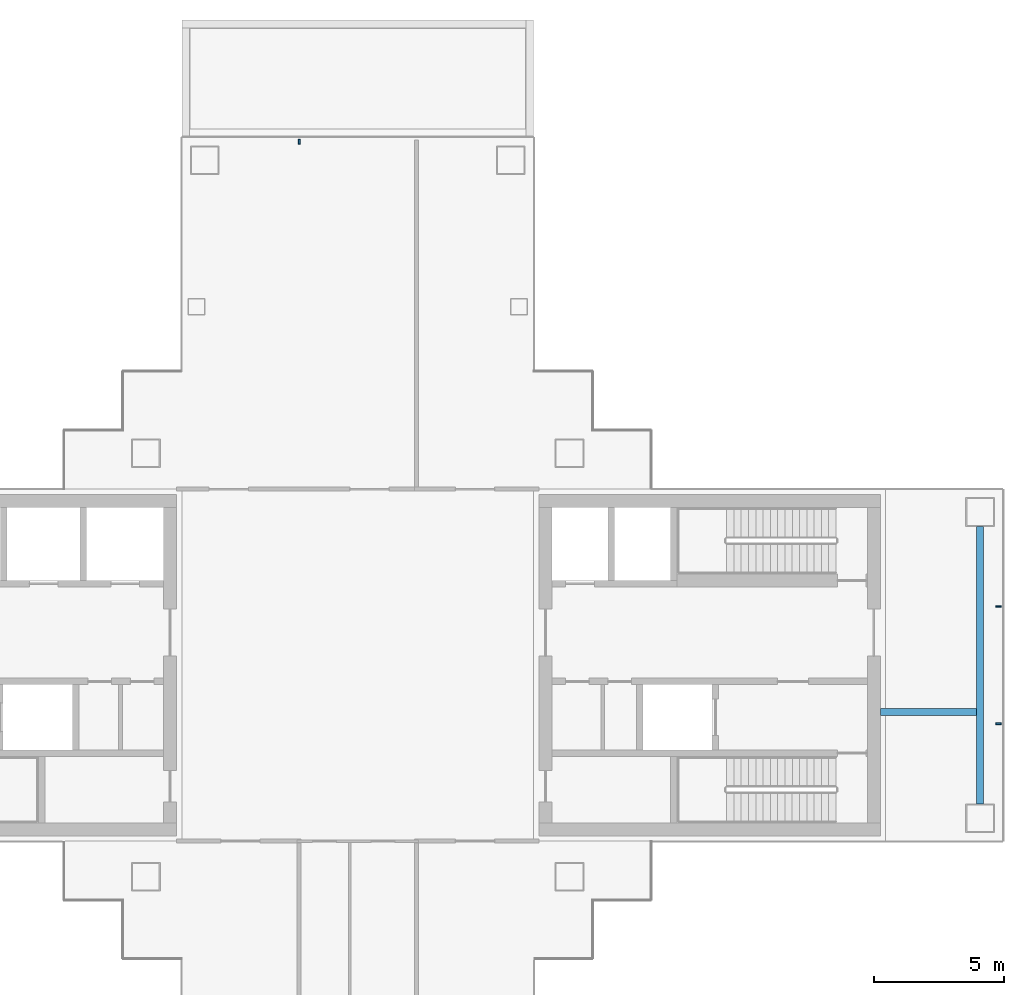
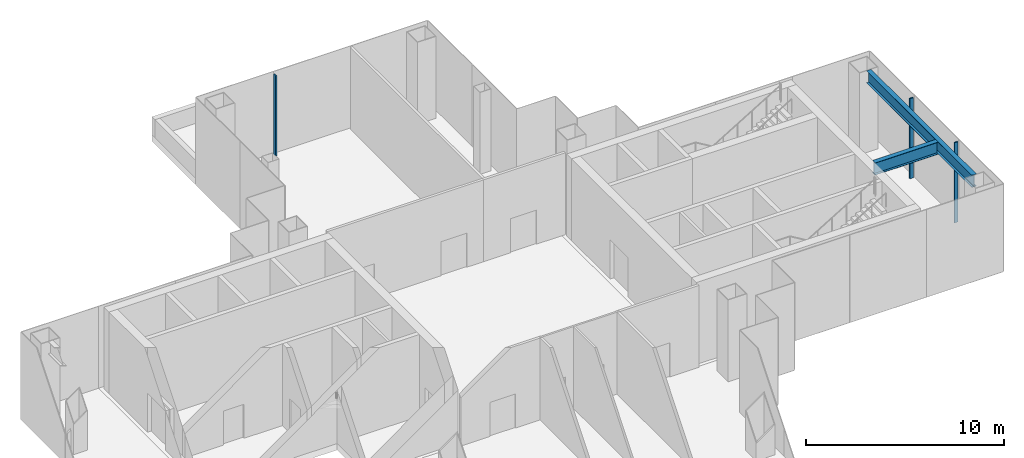
# One storey, part 5 of 15: 3 members, 2 beams, 2 elements without a shape of their own.
"""IFC4 building model written with IfcOpenShell, lengths in metres."""

import ifcopenshell
import ifcopenshell.guid

model = None  # the IFC model being written
_history = None  # IfcOwnerHistory: only IFC2X3 demands one
_inside = {}  # id of a spatial element -> (the spatial element, [elements in it])
_under = {}  # id of a project, library or spatial element -> (it, [spatial elements below it])
_declared = {}  # id of a project -> (the project, [libraries it declares])
_typed = {}  # id of a type object -> (the type object, [elements of that type])
_made_of = {}  # id of a material, layer set ... -> (it, [elements and type objects made of it])


def new_model(schema):
    """Start an empty IFC model of exactly this schema.

    Asked for "IFC4X3", IfcOpenShell would pick the latest addendum, in which some entities
    have other attributes; the version numbers below select the first issue.
    IFC2X3 requires an IfcOwnerHistory on every rooted entity: one is made here for all.
    """
    global model, _history
    if schema == "IFC4X3":
        model = ifcopenshell.file(schema_version=(4, 3, 0, 0))
    else:
        model = ifcopenshell.file(schema=schema)
    _inside.clear()
    _under.clear()
    _declared.clear()
    _typed.clear()
    _made_of.clear()
    _history = None
    if model.schema == "IFC2X3":
        org = make("IfcOrganization", Name="unknown")
        user = make(
            "IfcPersonAndOrganization",
            ThePerson=make("IfcPerson", FamilyName="unknown"),
            TheOrganization=org,
        )
        app = make(
            "IfcApplication",
            ApplicationDeveloper=org,
            Version="unknown",
            ApplicationFullName="unknown",
            ApplicationIdentifier="unknown",
        )
        _history = make(
            "IfcOwnerHistory",
            OwningUser=user,
            OwningApplication=app,
            ChangeAction="ADDED",
            CreationDate=0,
        )
    return model


def make(cls, **values):
    """One entity of the class cls with the attributes given. An attribute that is None is left unset."""
    return model.create_entity(
        cls, **{name: value for name, value in values.items() if value is not None}
    )


def rooted(cls, **values):
    """An entity with a GlobalId (a new one), such as an element, a storey or a relation."""
    return make(cls, GlobalId=ifcopenshell.guid.new(), OwnerHistory=_history, **values)


def si_unit(unit_type, name, prefix=None):
    """IfcSIUnit, for example si_unit("LENGTHUNIT", "METRE", prefix="MILLI")."""
    return make("IfcSIUnit", UnitType=unit_type, Prefix=prefix, Name=name)


def assignment(units):
    """IfcUnitAssignment: the units of a project."""
    return None if units is None else make("IfcUnitAssignment", Units=units)


def point(xyz):
    """IfcCartesianPoint."""
    return None if xyz is None else make("IfcCartesianPoint", Coordinates=xyz)


def direction(xyz):
    """IfcDirection."""
    return None if xyz is None else make("IfcDirection", DirectionRatios=xyz)


def frame(location, z_axis=None, x_axis=None):
    """IfcAxis2Placement3D, a coordinate frame: its origin and axes. An axis left out is left unset."""
    return make(
        "IfcAxis2Placement3D",
        Location=point(location),
        Axis=direction(z_axis),
        RefDirection=direction(x_axis),
    )


def frame_2d(location, x_axis=None):
    """IfcAxis2Placement2D, a coordinate frame in the plane: its origin and x axis."""
    return make(
        "IfcAxis2Placement2D", Location=point(location), RefDirection=direction(x_axis)
    )


def origin():
    """The frame at (0, 0, 0) with its axes left unset."""
    return frame((0.0, 0.0, 0.0))


def origin_2d():
    """The frame at (0, 0) in the plane with its x axis left unset."""
    return frame_2d((0.0, 0.0))


def place(relative_to, where):
    """IfcLocalPlacement: puts the frame where relative to a parent placement (None: the world)."""
    return make(
        "IfcLocalPlacement", PlacementRelTo=relative_to, RelativePlacement=where
    )


def context(
    kind, dimensions, precision=None, world=None, true_north=None, identifier=None
):
    """IfcGeometricRepresentationContext, for example the 3D "Model" context."""
    return make(
        "IfcGeometricRepresentationContext",
        ContextIdentifier=identifier,
        ContextType=kind,
        CoordinateSpaceDimension=dimensions,
        Precision=precision,
        WorldCoordinateSystem=world,
        TrueNorth=true_north,
    )


def subcontext(parent, identifier, kind, view, scale=None):
    """IfcGeometricRepresentationSubContext, for example "Body" below "Model"."""
    return make(
        "IfcGeometricRepresentationSubContext",
        ContextIdentifier=identifier,
        ContextType=kind,
        ParentContext=parent,
        TargetScale=scale,
        TargetView=view,
    )


def project(units=None, contexts=None):
    """IfcProject with its units and contexts."""
    return rooted(
        "IfcProject",
        Name="project",
        RepresentationContexts=contexts,
        UnitsInContext=assignment(units),
    )


def spatial(cls, under=None, at=None, **own):
    """A site, building, storey or space (cls), placed at a placement, below another one or the project."""
    s = rooted(cls, ObjectPlacement=at, **own)
    if under is not None:
        _under.setdefault(under.id(), (under, []))[1].append(s)
    return s


def profile(cls, at=None, kind="AREA", **sizes):
    """A parametric profile (cls). Its sizes go by their IFC names, for example OverallWidth=200.0."""
    return make(cls, ProfileType=kind, Position=at, **sizes)


def rectangle(**sizes):
    """IfcRectangleProfileDef."""
    return profile("IfcRectangleProfileDef", **sizes)


def i_section(**sizes):
    """IfcIShapeProfileDef."""
    return profile("IfcIShapeProfileDef", **sizes)


def extrude(swept, where, along, depth):
    """IfcExtrudedAreaSolid: the profile swept, set in the frame where, extruded along a direction by depth."""
    return make(
        "IfcExtrudedAreaSolid",
        SweptArea=swept,
        Position=where,
        ExtrudedDirection=direction(along),
        Depth=depth,
    )


def shape(context_of_items, identifier, shape_type, items):
    """IfcShapeRepresentation: the items that make up one representation, for example the "Body"."""
    return make(
        "IfcShapeRepresentation",
        ContextOfItems=context_of_items,
        RepresentationIdentifier=identifier,
        RepresentationType=shape_type,
        Items=items,
    )


def material(Name=None, Category=None):
    """IfcMaterial."""
    return make("IfcMaterial", Name=Name, Category=Category)


def layer(
    of_material, thickness, ventilated=None, Name=None, Category=None, Priority=None
):
    """IfcMaterialLayer: one layer of a wall or slab, of a material (None: an air gap)."""
    return make(
        "IfcMaterialLayer",
        Material=of_material,
        LayerThickness=thickness,
        IsVentilated=ventilated,
        Name=Name,
        Category=Category,
        Priority=Priority,
    )


def layer_set(layers, Name=None):
    """IfcMaterialLayerSet."""
    return make("IfcMaterialLayerSet", MaterialLayers=layers, LayerSetName=Name)


def material_profile(
    of_material, cross_section, Name=None, Category=None, Priority=None
):
    """IfcMaterialProfile: a cross section and its material."""
    return make(
        "IfcMaterialProfile",
        Name=Name,
        Material=of_material,
        Profile=cross_section,
        Priority=Priority,
        Category=Category,
    )


def profile_set(profiles, Name=None, composite=None):
    """IfcMaterialProfileSet."""
    return make(
        "IfcMaterialProfileSet",
        Name=Name,
        MaterialProfiles=profiles,
        CompositeProfile=composite,
    )


def made_of(thing, what):
    """Note that an element or type object is made of a material, layer set ...; save() writes the relation."""
    if what is not None:
        _made_of.setdefault(what.id(), (what, []))[1].append(thing)
    return thing


def type_object(cls, material=None, **own):
    """A type object (cls), such as IfcWallType, which elements share."""
    return made_of(rooted(cls, **own), material)


def element(
    cls,
    number,
    at=None,
    inside=None,
    cuts=None,
    type_object=None,
    material=None,
    context=None,
    identifier="Body",
    shape_type=None,
    held_by="IfcProductDefinitionShape",
    body=None,
    shapes=None,
    **own,
):
    """One element of the class cls, such as IfcWall. Its Tag is "e" and its number.

    at: its placement. inside: the storey or other place that contains it. cuts: it is an
    opening in that element (IfcRelVoidsElement). A single representation is given by context,
    identifier, shape_type and body (its items); several are given by shapes. held_by: the class
    of the entity that holds the representations. save() writes the other relations.
    """
    e = rooted(cls, Tag="e%d" % number, ObjectPlacement=at, **own)
    if body is not None:
        shapes = [shape(context, identifier, shape_type, body)]
    if shapes is not None:
        e.Representation = make(held_by, Representations=shapes)
    if inside is not None:
        _inside.setdefault(inside.id(), (inside, []))[1].append(e)
    if cuts is not None:
        rooted(
            "IfcRelVoidsElement", RelatingBuildingElement=cuts, RelatedOpeningElement=e
        )
    if type_object is not None:
        _typed.setdefault(type_object.id(), (type_object, []))[1].append(e)
    return made_of(e, material)


def aggregate(whole, parts):
    """IfcRelAggregates: a whole, such as a stair, and the parts it consists of."""
    return rooted("IfcRelAggregates", RelatingObject=whole, RelatedObjects=parts)


def save(model, path):
    """Write the relations noted so far, then the file.

    IfcRelAggregates (storeys below a building ...), IfcRelContainedInSpatialStructure (elements
    in a storey), IfcRelDefinesByType, IfcRelAssociatesMaterial and IfcRelDeclares: one each for
    every whole, place, type object, material and project.
    """
    for whole, parts in _under.values():
        aggregate(whole, parts)
    for where, things in _inside.values():
        rooted(
            "IfcRelContainedInSpatialStructure",
            RelatedElements=things,
            RelatingStructure=where,
        )
    for kind, things in _typed.values():
        rooted("IfcRelDefinesByType", RelatedObjects=things, RelatingType=kind)
    for what, things in _made_of.values():
        rooted("IfcRelAssociatesMaterial", RelatedObjects=things, RelatingMaterial=what)
    for by, libraries in _declared.values():
        rooted("IfcRelDeclares", RelatingContext=by, RelatedDefinitions=libraries)
    model.write(path)


model = new_model("IFC4")

# Units and contexts
model_context = context("Model", 3, precision=1e-05, world=origin(), true_north=direction((0.0, 1.0)))
body_context = subcontext(model_context, "Body", "Model", "MODEL_VIEW")
ifc_project = project(units=[si_unit("LENGTHUNIT", "METRE"), si_unit("AREAUNIT", "SQUARE_METRE"), si_unit("VOLUMEUNIT", "CUBIC_METRE"), si_unit("PLANEANGLEUNIT", "RADIAN"), si_unit("MASSUNIT", "GRAM", prefix="KILO")], contexts=[model_context])

# Site, building, storey
site_placement = place(None, origin())
site = spatial("IfcSite", under=ifc_project, at=site_placement, CompositionType="ELEMENT")
building_placement = place(site_placement, origin())
building = spatial("IfcBuilding", under=site, at=building_placement, Name="Shamsa Quay Exchange Towers", CompositionType="ELEMENT")
storey_placement = place(building_placement, frame((0.0, 0.0, 133.5)))
storey = spatial("IfcBuildingStorey", under=building, at=storey_placement, Name="L31", CompositionType="ELEMENT", Elevation=133.5)

# Curtain wall, members
ifc_material_1 = material(Name="Aluminium EN AW-6063 T6, black anodised", Category="aluminium")
ifc_layer = layer(ifc_material_1, 0.31396484375)
ifc_layer_set = layer_set([ifc_layer], Name="CW-6 TALL STOREY GLAZING")
curtain_wall_type = type_object("IfcCurtainWallType", Name="CW-6 TALL STOREY GLAZING", PredefinedType="NOTDEFINED", material=ifc_layer_set)
curtain_wall_1_placement = place(storey_placement, origin())
curtain_wall_1 = element("IfcCurtainWall", 1, at=curtain_wall_1_placement, inside=storey, type_object=curtain_wall_type, Name="CW6 T2-END-V- L31", PredefinedType="NOTDEFINED")
ifc_material_profile_1 = material_profile(ifc_material_1, rectangle(XDim=0.199951171875, YDim=0.070068359375, at=origin_2d()), Name="MU70x200")
ifc_profile_set_1 = profile_set([ifc_material_profile_1], Name="Aluminium EN AW-6063 T6, black anodised")
member_type = type_object("IfcMemberType", Name="CW6 MULLION 70x200", PredefinedType="MULLION", material=ifc_profile_set_1)
member_1_placement = place(storey_placement, frame((58.330078125, -2.25, 0.0), z_axis=(0.0, 0.0, 1.0), x_axis=(-1.0, 0.0, 0.0)))
member_1 = element("IfcMember", 2, at=member_1_placement, type_object=member_type, Name="CW6 mullion", PredefinedType="MULLION", context=body_context, shape_type="SweptSolid", body=[
    extrude(rectangle(XDim=0.199951171875, YDim=0.070068359375, at=origin_2d()), origin(), (0.0, 0.0, 1.0), 4.949951171875),
])
member_2_placement = place(storey_placement, frame((58.330078125, 2.25, 0.0), z_axis=(0.0, 0.0, 1.0), x_axis=(-1.0, 0.0, 0.0)))
member_2 = element("IfcMember", 3, at=member_2_placement, type_object=member_type, Name="CW6 mullion", PredefinedType="MULLION", context=body_context, shape_type="SweptSolid", body=[
    extrude(rectangle(XDim=0.199951171875, YDim=0.070068359375, at=origin_2d()), origin(), (0.0, 0.0, 1.0), 4.949951171875),
])
aggregate(curtain_wall_1, [member_1, member_2])

# Curtain wall, member
curtain_wall_2_placement = place(storey_placement, origin())
curtain_wall_2 = element("IfcCurtainWall", 4, at=curtain_wall_2_placement, inside=storey, type_object=curtain_wall_type, Name="CW6 T2-END-U+ L31", PredefinedType="NOTDEFINED")
member_3_placement = place(storey_placement, frame((31.5, 20.080078125, 0.0), z_axis=(0.0, 0.0, 1.0), x_axis=(0.0, -1.0, 0.0)))
member_3 = element("IfcMember", 5, at=member_3_placement, type_object=member_type, Name="CW6 mullion", PredefinedType="MULLION", context=body_context, shape_type="SweptSolid", body=[
    extrude(rectangle(XDim=0.199951171875, YDim=0.070068359375, at=origin_2d()), origin(), (0.0, 0.0, 1.0), 4.949951171875),
])
aggregate(curtain_wall_2, [member_3])

# Beams
ifc_material_2 = material(Name="Steel S355", Category="steel")
ifc_material_profile_2 = material_profile(ifc_material_2, i_section(OverallWidth=0.26611328125, OverallDepth=0.7578125, WebThickness=0.013916015625, FlangeThickness=0.019287109375, at=origin_2d()), Name="W30x108")
ifc_profile_set_2 = profile_set([ifc_material_profile_2], Name="Steel S355")
beam_type = type_object("IfcBeamType", Name="End-zone beam W30x108", PredefinedType="BEAM", material=ifc_profile_set_2)
beam_1_placement = place(storey_placement, frame((57.625, -5.324951171875, 4.671142578125), z_axis=(0.0, 1.0, 0.0), x_axis=(-1.0, 0.0, 0.0)))
element("IfcBeam", 6, at=beam_1_placement, inside=storey, type_object=beam_type, Name="End beam T2 V- end zone L31", PredefinedType="BEAM", context=body_context, shape_type="SweptSolid", body=[
    extrude(i_section(OverallWidth=0.26611328125, OverallDepth=0.7578125, WebThickness=0.013916015625, FlangeThickness=0.019287109375, at=origin_2d()), origin(), (0.0, 0.0, 1.0), 10.64990234375),
])
beam_2_placement = place(storey_placement, frame((53.800048828125, -1.800048828125, 4.671142578125), z_axis=(1.0, 0.0, 0.0), x_axis=(0.0, 1.0, 0.0)))
element("IfcBeam", 7, at=beam_2_placement, inside=storey, type_object=beam_type, Name="Spine beam T2 V- end zone L31", PredefinedType="BEAM", context=body_context, shape_type="SweptSolid", body=[
    extrude(i_section(OverallWidth=0.26611328125, OverallDepth=0.7578125, WebThickness=0.013916015625, FlangeThickness=0.019287109375, at=origin_2d()), origin(), (0.0, 0.0, 1.0), 3.69189453125),
])

save(model, "model.ifc")
